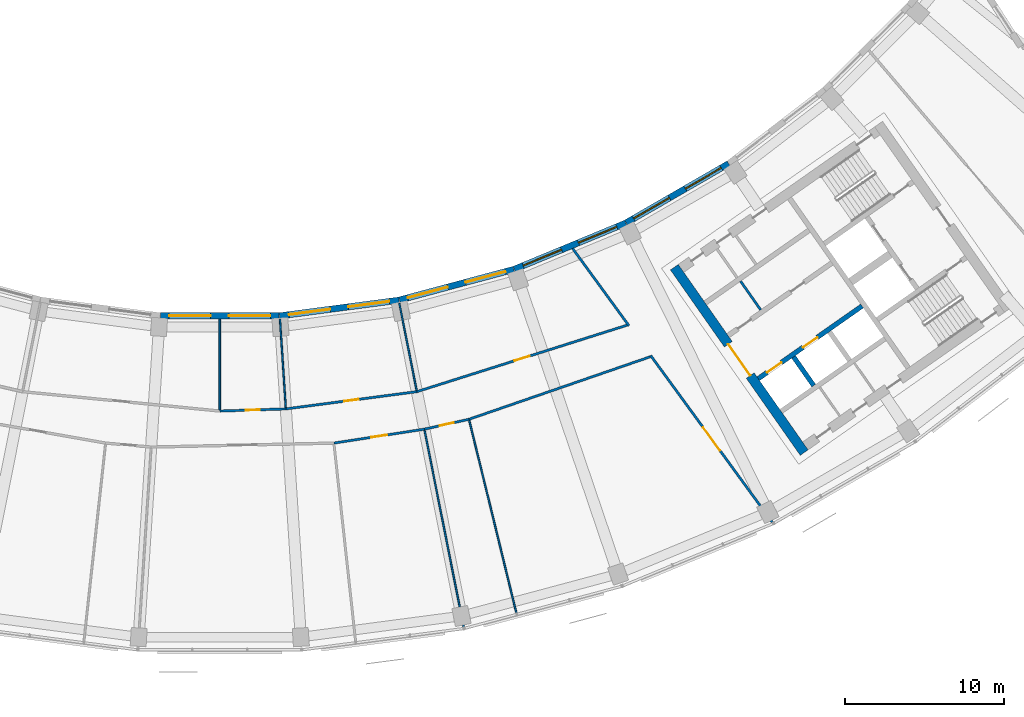
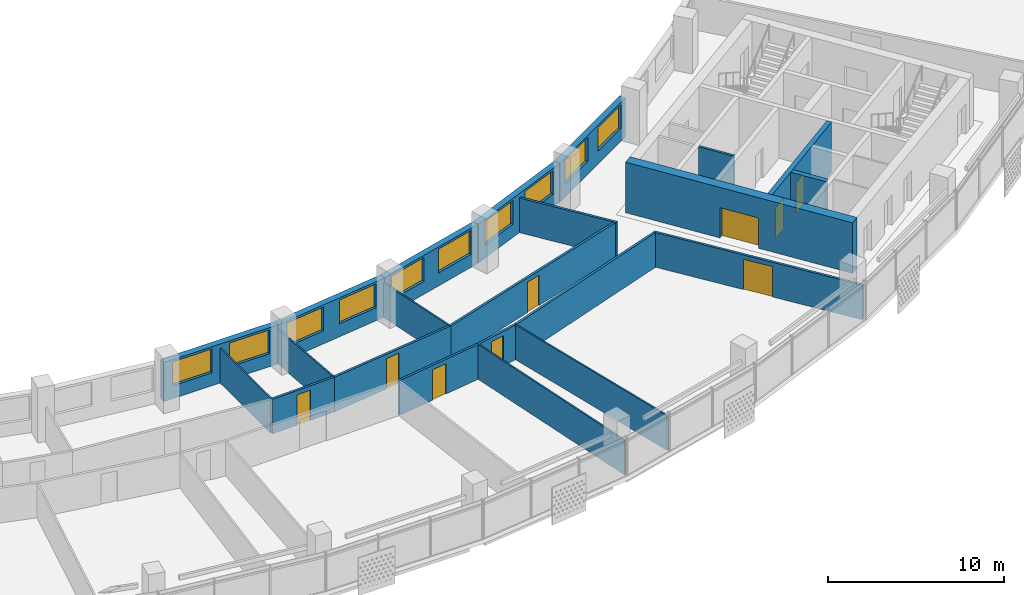
# One storey, part 6 of 28: 22 walls, 10 windows, 9 doors, 19 openings.
"""IFC4 building model written with IfcOpenShell, lengths in metres."""

from ifc_helpers import new_model, si_unit, direction, frame, frame_2d, origin, place, context, subcontext, project, spatial, rectangle, extrude, material, layer, layer_set, type_object, element, fill, save


model = new_model("IFC4")

# Units and contexts
model_context = context("Model", 3, precision=1e-05, world=origin(), true_north=direction((0.0, 1.0)))
body_context = subcontext(model_context, "Body", "Model", "MODEL_VIEW")
ifc_project = project(units=[si_unit("LENGTHUNIT", "METRE"), si_unit("AREAUNIT", "SQUARE_METRE"), si_unit("VOLUMEUNIT", "CUBIC_METRE"), si_unit("PLANEANGLEUNIT", "RADIAN"), si_unit("MASSUNIT", "GRAM", prefix="KILO")], contexts=[model_context])

# Site, building, storey
site_placement = place(None, origin())
site = spatial("IfcSite", under=ifc_project, at=site_placement, CompositionType="ELEMENT")
building_placement = place(site_placement, origin())
building = spatial("IfcBuilding", under=site, at=building_placement, Name="Qamariyya Broadcast Tower", CompositionType="ELEMENT")
storey_placement = place(building_placement, frame((0.0, 0.0, 245.5)))
storey = spatial("IfcBuildingStorey", under=building, at=storey_placement, Name="L59", CompositionType="ELEMENT", Elevation=245.5)

# Wall, opening, door
ifc_material_1 = material(Name="Concrete C60/75", Category="concrete")
ifc_layer_1 = layer(ifc_material_1, 0.60009765625)
ifc_layer_set_1 = layer_set([ifc_layer_1], Name="Core wall 600 mm Concrete C60/75")
wall_type_1 = type_object("IfcWallType", Name="Core wall 600 mm Concrete C60/75", PredefinedType="SHEAR", material=ifc_layer_set_1)
wall_1_placement = place(storey_placement, frame((36.66748046875, -66.005126953125, 0.0), z_axis=(0.0, 0.0, 1.0), x_axis=(-0.573568499524, 0.819157601658, 0.0)))
wall_1 = element("IfcWall", 1, at=wall_1_placement, inside=storey, type_object=wall_type_1, Name="k-E-L59-WA", PredefinedType="SHEAR", context=body_context, shape_type="SweptSolid", body=[
    extrude(rectangle(XDim=14.19970703125, YDim=0.60009765625, at=frame_2d((7.099853515625, 0.0))), origin(), (0.0, 0.0, 1.0), 3.5),
])
opening_1_placement = place(wall_1_placement, frame((5.89990234375, 0.0, 0.0)))
opening_1 = element("IfcOpeningElement", 2, at=opening_1_placement, cuts=wall_1, Name="Opening KD3-E1", PredefinedType="OPENING", context=body_context, shape_type="SweptSolid", body=[
    extrude(rectangle(XDim=2.39990234375, YDim=2.10009765625, at=frame_2d((1.199951171875, 1.050048828125))), frame((0.0, 0.31005859375, 0.0), z_axis=(0.0, -1.0, 0.0), x_axis=(1.0, 0.0, 0.0)), (0.0, 0.0, 1.0), 0.6201171875),
])
ifc_material_2 = material(Name="Steel fire-resisting door leaf", Category="steel")
door_type_1 = type_object("IfcDoorType", Name="Lift lobby door KD3", OperationType="DOUBLE_DOOR_SINGLE_SWING", PredefinedType="DOOR", material=ifc_material_2)
door_1_placement = place(opening_1_placement, origin())
door_1 = element("IfcDoor", 3, at=door_1_placement, inside=storey, type_object=door_type_1, Name="k-E-L59-WA-D1", OperationType="DOUBLE_DOOR_SINGLE_SWING", OverallHeight=2.10009765625, OverallWidth=2.39990234375, PredefinedType="DOOR", context=body_context, shape_type="SweptSolid", body=[
    extrude(rectangle(XDim=2.39990234375, YDim=2.10009765625, at=frame_2d((1.199951171875, 1.050048828125))), frame((0.0, 0.02490234375, 0.0), z_axis=(0.0, -1.0, 0.0), x_axis=(1.0, 0.0, 0.0)), (0.0, 0.0, 1.0), 0.050048828125),
])
fill(opening_1, door_1)

ifc_material_3 = material(Name="Gypsum board partition")
ifc_layer_2 = layer(ifc_material_3, 0.14990234375)
ifc_layer_set_2 = layer_set([ifc_layer_2], Name="Corridor partition 150 EI 60")
wall_type_2 = type_object("IfcWallType", Name="Corridor partition 150 EI 60", PredefinedType="PARTITIONING", material=ifc_layer_set_2)
wall_2_placement = place(storey_placement, frame((0.0, -63.39990234375, 0.0), z_axis=(0.0, 0.0, 1.0), x_axis=(0.999464584765, 0.032719165634, 0.0)))
wall_2 = element("IfcWall", 4, at=wall_2_placement, inside=storey, type_object=wall_type_2, Name="Partition L59-018", PredefinedType="PARTITIONING", context=body_context, shape_type="SweptSolid", body=[
    extrude(rectangle(XDim=4.148681640625, YDim=0.14990234375, at=frame_2d((2.07421875, 0.0))), origin(), (0.0, 0.0, 1.0), 2.39990234375),
])
opening_2_placement = place(wall_2_placement, frame((1.62451171875, 0.0, 0.0)))
opening_2 = element("IfcOpeningElement", 5, at=opening_2_placement, cuts=wall_2, Name="Opening L59-D12", PredefinedType="OPENING", context=body_context, shape_type="SweptSolid", body=[
    extrude(rectangle(XDim=0.89990234375, YDim=2.10009765625, at=frame_2d((0.449951171875, 1.050048828125))), frame((0.0, 0.0849609375, 0.0), z_axis=(0.0, -1.0, 0.0), x_axis=(1.0, 0.0, 0.0)), (0.0, 0.0, 1.0), 0.169921875),
])
ifc_material_4 = material(Name="Timber fire door leaf", Category="wood")
door_type_2 = type_object("IfcDoorType", Name="Fire door 900 x 2100 FD60", OperationType="NOTDEFINED", PredefinedType="DOOR", material=ifc_material_4)
door_2_placement = place(opening_2_placement, origin())
door_2 = element("IfcDoor", 6, at=door_2_placement, inside=storey, type_object=door_type_2, Name="Door L59-D12", OperationType="SINGLE_SWING_RIGHT", OverallHeight=2.10009765625, OverallWidth=0.89990234375, PredefinedType="DOOR", context=body_context, shape_type="SweptSolid", body=[
    extrude(rectangle(XDim=0.89990234375, YDim=2.10009765625, at=frame_2d((0.449951171875, 1.050048828125))), frame((0.0, 0.02490234375, 0.0), z_axis=(0.0, -1.0, 0.0), x_axis=(1.0, 0.0, 0.0)), (0.0, 0.0, 1.0), 0.050048828125),
])
fill(opening_2, door_2)

wall_3_placement = place(storey_placement, frame((4.146484375, -63.26416015625, 0.0), z_axis=(0.0, 0.0, 1.0), x_axis=(0.991447881484, 0.130503250152, 0.0)))
wall_3 = element("IfcWall", 7, at=wall_3_placement, inside=storey, type_object=wall_type_2, Name="Partition L59-021", PredefinedType="PARTITIONING", context=body_context, shape_type="SweptSolid", body=[
    extrude(rectangle(XDim=8.293212890625, YDim=0.14990234375, at=frame_2d((4.146484375, 0.0))), origin(), (0.0, 0.0, 1.0), 2.39990234375),
])
opening_3_placement = place(wall_3_placement, frame((3.696533203125, 0.0, 0.0)))
opening_3 = element("IfcOpeningElement", 8, at=opening_3_placement, cuts=wall_3, Name="Opening L59-D13", PredefinedType="OPENING", context=body_context, shape_type="SweptSolid", body=[
    extrude(rectangle(XDim=0.89990234375, YDim=2.10009765625, at=frame_2d((0.449951171875, 1.050048828125))), frame((0.0, 0.0849609375, 0.0), z_axis=(0.0, -1.0, 0.0), x_axis=(1.0, 0.0, 0.0)), (0.0, 0.0, 1.0), 0.169921875),
])
door_3_placement = place(opening_3_placement, origin())
door_3 = element("IfcDoor", 9, at=door_3_placement, inside=storey, type_object=door_type_2, Name="Door L59-D13", OperationType="SINGLE_SWING_RIGHT", OverallHeight=2.10009765625, OverallWidth=0.89990234375, PredefinedType="DOOR", context=body_context, shape_type="SweptSolid", body=[
    extrude(rectangle(XDim=0.89990234375, YDim=2.10009765625, at=frame_2d((0.449951171875, 1.050048828125))), frame((0.0, 0.02490234375, 0.0), z_axis=(0.0, -1.0, 0.0), x_axis=(1.0, 0.0, 0.0)), (0.0, 0.0, 1.0), 0.050048828125),
])
fill(opening_3, door_3)

wall_4_placement = place(storey_placement, frame((12.8369140625, -64.53564453125, 0.0), z_axis=(0.0, 0.0, 1.0), x_axis=(-0.988360881462, -0.15212747285, 0.0)))
wall_4 = element("IfcWall", 10, at=wall_4_placement, inside=storey, type_object=wall_type_2, Name="Partition L59-022", PredefinedType="PARTITIONING", context=body_context, shape_type="SweptSolid", body=[
    extrude(rectangle(XDim=5.7421875, YDim=0.14990234375, at=frame_2d((2.87109375, 0.0))), origin(), (0.0, 0.0, 1.0), 2.39990234375),
])
opening_4_placement = place(wall_4_placement, frame((2.37109375, 0.0, 0.0)))
opening_4 = element("IfcOpeningElement", 11, at=opening_4_placement, cuts=wall_4, Name="Opening L59-D06", PredefinedType="OPENING", context=body_context, shape_type="SweptSolid", body=[
    extrude(rectangle(XDim=1.0, YDim=2.10009765625, at=frame_2d((0.5, 1.050048828125))), frame((0.0, 0.0849609375, 0.0), z_axis=(0.0, -1.0, 0.0), x_axis=(1.0, 0.0, 0.0)), (0.0, 0.0, 1.0), 0.169921875),
])
door_type_3 = type_object("IfcDoorType", Name="Fire door 1000 x 2100 FD60", OperationType="NOTDEFINED", PredefinedType="DOOR", material=ifc_material_4)
door_4_placement = place(opening_4_placement, origin())
door_4 = element("IfcDoor", 12, at=door_4_placement, inside=storey, type_object=door_type_3, Name="Door L59-D06", OperationType="SINGLE_SWING_RIGHT", OverallHeight=2.10009765625, OverallWidth=1.0, PredefinedType="DOOR", context=body_context, shape_type="SweptSolid", body=[
    extrude(rectangle(XDim=1.0, YDim=2.10009765625, at=frame_2d((0.5, 1.050048828125))), frame((0.0, 0.02490234375, 0.0), z_axis=(0.0, -1.0, 0.0), x_axis=(1.0, 0.0, 0.0)), (0.0, 0.0, 1.0), 0.050048828125),
])
fill(opening_4, door_4)

wall_5_placement = place(storey_placement, frame((12.36865234375, -62.181884765625, 0.0), z_axis=(0.0, 0.0, 1.0), x_axis=(0.95346124433, 0.30151559754, 0.0)))
wall_5 = element("IfcWall", 13, at=wall_5_placement, inside=storey, type_object=wall_type_2, Name="Partition L59-025", PredefinedType="PARTITIONING", context=body_context, shape_type="SweptSolid", body=[
    extrude(rectangle(XDim=13.83544921875, YDim=0.14990234375, at=frame_2d((6.917724609375, 0.0))), origin(), (0.0, 0.0, 1.0), 2.39990234375),
])
opening_5_placement = place(wall_5_placement, frame((6.417724609375, 0.0, 0.0)))
opening_5 = element("IfcOpeningElement", 14, at=opening_5_placement, cuts=wall_5, Name="Opening L59-D14", PredefinedType="OPENING", context=body_context, shape_type="SweptSolid", body=[
    extrude(rectangle(XDim=1.0, YDim=2.10009765625, at=frame_2d((0.5, 1.050048828125))), frame((0.0, 0.0849609375, 0.0), z_axis=(0.0, -1.0, 0.0), x_axis=(1.0, 0.0, 0.0)), (0.0, 0.0, 1.0), 0.169921875),
])
door_5_placement = place(opening_5_placement, origin())
door_5 = element("IfcDoor", 15, at=door_5_placement, inside=storey, type_object=door_type_3, Name="Door L59-D14", OperationType="SINGLE_SWING_RIGHT", OverallHeight=2.10009765625, OverallWidth=1.0, PredefinedType="DOOR", context=body_context, shape_type="SweptSolid", body=[
    extrude(rectangle(XDim=1.0, YDim=2.10009765625, at=frame_2d((0.5, 1.050048828125))), frame((0.0, 0.02490234375, 0.0), z_axis=(0.0, -1.0, 0.0), x_axis=(1.0, 0.0, 0.0)), (0.0, 0.0, 1.0), 0.050048828125),
])
fill(opening_5, door_5)

wall_6_placement = place(storey_placement, frame((15.637939453125, -63.914794921875, 0.0), z_axis=(0.0, 0.0, 1.0), x_axis=(-0.976305048544, -0.216398826676, 0.0)))
wall_6 = element("IfcWall", 16, at=wall_6_placement, inside=storey, type_object=wall_type_2, Name="Partition L59-026", PredefinedType="PARTITIONING", context=body_context, shape_type="SweptSolid", body=[
    extrude(rectangle(XDim=2.868896484375, YDim=0.14990234375, at=frame_2d((1.4345703125, 0.0))), origin(), (0.0, 0.0, 1.0), 2.39990234375),
])
opening_6_placement = place(wall_6_placement, frame((0.984619140625, 0.0, 0.0)))
opening_6 = element("IfcOpeningElement", 17, at=opening_6_placement, cuts=wall_6, Name="Opening L59-D07", PredefinedType="OPENING", context=body_context, shape_type="SweptSolid", body=[
    extrude(rectangle(XDim=0.89990234375, YDim=2.10009765625, at=frame_2d((0.449951171875, 1.050048828125))), frame((0.0, 0.0849609375, 0.0), z_axis=(0.0, -1.0, 0.0), x_axis=(1.0, 0.0, 0.0)), (0.0, 0.0, 1.0), 0.169921875),
])
door_6_placement = place(opening_6_placement, origin())
door_6 = element("IfcDoor", 18, at=door_6_placement, inside=storey, type_object=door_type_2, Name="Door L59-D07", OperationType="SINGLE_SWING_RIGHT", OverallHeight=2.10009765625, OverallWidth=0.89990234375, PredefinedType="DOOR", context=body_context, shape_type="SweptSolid", body=[
    extrude(rectangle(XDim=0.89990234375, YDim=2.10009765625, at=frame_2d((0.449951171875, 1.050048828125))), frame((0.0, 0.02490234375, 0.0), z_axis=(0.0, -1.0, 0.0), x_axis=(1.0, 0.0, 0.0)), (0.0, 0.0, 1.0), 0.050048828125),
])
fill(opening_6, door_6)

# Walls
wall_7_placement = place(storey_placement, frame((15.637939453125, -63.914794921875, 0.0), z_axis=(0.0, 0.0, 1.0), x_axis=(0.9453766492, 0.325980047162, 0.0)))
element("IfcWall", 19, at=wall_7_placement, inside=storey, type_object=wall_type_2, Name="Partition L59-028", PredefinedType="PARTITIONING", context=body_context, shape_type="SweptSolid", body=[
    extrude(rectangle(XDim=12.02587890625, YDim=0.14990234375, at=frame_2d((6.012939453125, 0.0))), origin(), (0.0, 0.0, 1.0), 2.39990234375),
])
wall_8_placement = place(storey_placement, frame((22.135498046875, -53.1943359375, 0.0), z_axis=(0.0, 0.0, 1.0), x_axis=(0.589297062476, -0.807916438846, 0.0)))
element("IfcWall", 20, at=wall_8_placement, inside=storey, type_object=wall_type_2, Name="Partition L59-030", PredefinedType="PARTITIONING", context=body_context, shape_type="SweptSolid", body=[
    extrude(rectangle(XDim=6.008056640625, YDim=0.14990234375, at=frame_2d((3.00390625, 0.0))), origin(), (0.0, 0.0, 1.0), 2.39990234375),
])

# Wall, opening, door
wall_9_placement = place(storey_placement, frame((34.668212890625, -70.37744140625, 0.0), z_axis=(0.0, 0.0, 1.0), x_axis=(-0.589273648147, 0.807933516819, 0.0)))
wall_9 = element("IfcWall", 21, at=wall_9_placement, inside=storey, type_object=wall_type_2, Name="Partition L59-031", PredefinedType="PARTITIONING", context=body_context, shape_type="SweptSolid", body=[
    extrude(rectangle(XDim=12.956298828125, YDim=0.14990234375, at=frame_2d((6.47802734375, 0.0))), origin(), (0.0, 0.0, 1.0), 2.39990234375),
])
opening_7_placement = place(wall_9_placement, frame((5.578125, 0.0, 0.0)))
opening_7 = element("IfcOpeningElement", 22, at=opening_7_placement, cuts=wall_9, Name="Opening L59-D08", PredefinedType="OPENING", context=body_context, shape_type="SweptSolid", body=[
    extrude(rectangle(XDim=1.800048828125, YDim=2.10009765625, at=frame_2d((0.89990234375, 1.050048828125))), frame((0.0, 0.0849609375, 0.0), z_axis=(0.0, -1.0, 0.0), x_axis=(1.0, 0.0, 0.0)), (0.0, 0.0, 1.0), 0.169921875),
])
door_type_4 = type_object("IfcDoorType", Name="Double fire door 1800 x 2100 FD60", OperationType="NOTDEFINED", PredefinedType="DOOR", material=ifc_material_4)
door_7_placement = place(opening_7_placement, origin())
door_7 = element("IfcDoor", 23, at=door_7_placement, inside=storey, type_object=door_type_4, Name="Door L59-D08", OperationType="DOUBLE_DOOR_SINGLE_SWING", OverallHeight=2.10009765625, OverallWidth=1.800048828125, PredefinedType="DOOR", context=body_context, shape_type="SweptSolid", body=[
    extrude(rectangle(XDim=1.800048828125, YDim=2.10009765625, at=frame_2d((0.89990234375, 1.050048828125))), frame((0.0, 0.02490234375, 0.0), z_axis=(0.0, -1.0, 0.0), x_axis=(1.0, 0.0, 0.0)), (0.0, 0.0, 1.0), 0.050048828125),
])
fill(opening_7, door_7)

# Wall
ifc_material_5 = material(Name="Gypsum board partition on steel studs", Category="steel")
ifc_layer_3 = layer(ifc_material_5, 0.14990234375)
ifc_layer_set_3 = layer_set([ifc_layer_3], Name="Gypsum board partition 150 mm")
wall_type_3 = type_object("IfcWallType", Name="Gypsum board partition 150 mm", PredefinedType="PARTITIONING", material=ifc_layer_set_3)
wall_10_placement = place(storey_placement, frame((33.9384765625, -57.051513671875, 0.0), z_axis=(0.0, 0.0, 1.0), x_axis=(-0.573581496053, 0.819148501424, 0.0)))
element("IfcWall", 24, at=wall_10_placement, inside=storey, type_object=wall_type_3, Name="k-E-L59-NC260", PredefinedType="PARTITIONING", context=body_context, shape_type="SweptSolid", body=[
    extrude(rectangle(XDim=2.2001953125, YDim=0.14990234375, at=frame_2d((1.10009765625, 0.0))), origin(), (0.0, 0.0, 1.0), 3.5),
])

# Wall, openings, doors
ifc_layer_4 = layer(ifc_material_1, 0.300048828125)
ifc_layer_set_4 = layer_set([ifc_layer_4], Name="Lift shaft wall 300 mm Concrete C60/75")
wall_type_4 = type_object("IfcWallType", Name="Lift shaft wall 300 mm Concrete C60/75", PredefinedType="SOLIDWALL", material=ifc_layer_set_4)
wall_11_placement = place(storey_placement, frame((33.787353515625, -61.368896484375, 0.0), z_axis=(0.0, 0.0, 1.0), x_axis=(0.819152564888, 0.573575692858, 0.0)))
wall_11 = element("IfcWall", 25, at=wall_11_placement, inside=storey, type_object=wall_type_4, Name="k-E-L59-SF0", PredefinedType="SOLIDWALL", context=body_context, shape_type="SweptSolid", body=[
    extrude(rectangle(XDim=7.9501953125, YDim=0.300048828125, at=frame_2d((3.97509765625, 0.0))), origin(), (0.0, 0.0, 1.0), 3.5),
])
opening_8_placement = place(wall_11_placement, frame((0.675048828125, 0.0, 0.0)))
opening_8 = element("IfcOpeningElement", 26, at=opening_8_placement, cuts=wall_11, Name="Opening LD", PredefinedType="OPENING", context=body_context, shape_type="SweptSolid", body=[
    extrude(rectangle(XDim=1.10009765625, YDim=2.10009765625, at=frame_2d((0.550048828125, 1.050048828125))), frame((0.0, 0.159912109375, 0.0), z_axis=(0.0, -1.0, 0.0), x_axis=(1.0, 0.0, 0.0)), (0.0, 0.0, 1.0), 0.320068359375),
])
opening_9_placement = place(wall_11_placement, frame((3.425048828125, 0.0, 0.0)))
opening_9 = element("IfcOpeningElement", 27, at=opening_9_placement, cuts=wall_11, Name="Opening LD", PredefinedType="OPENING", context=body_context, shape_type="SweptSolid", body=[
    extrude(rectangle(XDim=1.10009765625, YDim=2.10009765625, at=frame_2d((0.550048828125, 1.050048828125))), frame((0.0, 0.159912109375, 0.0), z_axis=(0.0, -1.0, 0.0), x_axis=(1.0, 0.0, 0.0)), (0.0, 0.0, 1.0), 0.320068359375),
])
door_type_5 = type_object("IfcDoorType", Name="Lift landing door LD", OperationType="DOUBLE_DOOR_SLIDING", PredefinedType="DOOR", material=ifc_material_2)
door_8_placement = place(opening_8_placement, origin())
door_8 = element("IfcDoor", 28, at=door_8_placement, inside=storey, type_object=door_type_5, Name="k-E-L59-SF0-D4", OperationType="DOUBLE_DOOR_SLIDING", OverallHeight=2.10009765625, OverallWidth=1.10009765625, PredefinedType="DOOR", context=body_context, shape_type="SweptSolid", body=[
    extrude(rectangle(XDim=1.10009765625, YDim=2.10009765625, at=frame_2d((0.550048828125, 1.050048828125))), frame((0.0, 0.02490234375, 0.0), z_axis=(0.0, -1.0, 0.0), x_axis=(1.0, 0.0, 0.0)), (0.0, 0.0, 1.0), 0.050048828125),
])
fill(opening_8, door_8)
door_9_placement = place(opening_9_placement, origin())
door_9 = element("IfcDoor", 29, at=door_9_placement, inside=storey, type_object=door_type_5, Name="k-E-L59-SF0-D5", OperationType="DOUBLE_DOOR_SLIDING", OverallHeight=2.10009765625, OverallWidth=1.10009765625, PredefinedType="DOOR", context=body_context, shape_type="SweptSolid", body=[
    extrude(rectangle(XDim=1.10009765625, YDim=2.10009765625, at=frame_2d((0.550048828125, 1.050048828125))), frame((0.0, 0.02490234375, 0.0), z_axis=(0.0, -1.0, 0.0), x_axis=(1.0, 0.0, 0.0)), (0.0, 0.0, 1.0), 0.050048828125),
])
fill(opening_9, door_9)

# Walls
wall_12_placement = place(storey_placement, frame((36.003173828125, -60.000244140625, 0.0), z_axis=(0.0, 0.0, 1.0), x_axis=(0.573581496053, -0.819148501424, 0.0)))
element("IfcWall", 30, at=wall_12_placement, inside=storey, type_object=wall_type_4, Name="k-E-L59-SD0", PredefinedType="SOLIDWALL", context=body_context, shape_type="SweptSolid", body=[
    extrude(rectangle(XDim=2.2001953125, YDim=0.300048828125, at=frame_2d((1.10009765625, 0.0))), origin(), (0.0, 0.0, 1.0), 3.5),
])
ifc_layer_5 = layer(ifc_material_3, 0.10009765625)
ifc_layer_set_5 = layer_set([ifc_layer_5], Name="Partition 100")
wall_type_5 = type_object("IfcWallType", Name="Partition 100", PredefinedType="PARTITIONING", material=ifc_layer_set_5)
wall_13_placement = place(storey_placement, frame((0.0, -57.627197265625, 0.0), z_axis=(0.0, 0.0, 1.0), x_axis=(0.0, -1.0, 0.0)))
element("IfcWall", 31, at=wall_13_placement, inside=storey, type_object=wall_type_5, Name="Partition L59-019", PredefinedType="PARTITIONING", context=body_context, shape_type="SweptSolid", body=[
    extrude(rectangle(XDim=5.69775390625, YDim=0.10009765625, at=frame_2d((2.848876953125, 0.0))), origin(), (0.0, 0.0, 1.0), 2.39990234375),
])
for number, where, z_axis, x_axis, name in (
    (32, (3.777099609375, -57.62646484375, 0.0), (0.0, 0.0, 1.0), (0.065382488891, -0.997860275864, 0.0), "Partition L59-020"),
    (33, (11.266357421875, -56.640380859375, 0.0), (0.0, 0.0, 1.0), (0.195097004053, -0.98078395124, 0.0), "Partition L59-024"),
):
    element("IfcWall", number, at=place(storey_placement, frame(where, z_axis=z_axis, x_axis=x_axis)), inside=storey, type_object=wall_type_5, Name=name, PredefinedType="PARTITIONING", context=body_context, shape_type="SweptSolid", body=[
        extrude(rectangle(XDim=5.574951171875, YDim=0.10009765625, at=frame_2d((2.78759765625, 0.0))), origin(), (0.0, 0.0, 1.0), 2.39990234375),
    ])
wall_14_placement = place(storey_placement, frame((15.304931640625, -76.942626953125, 0.0), z_axis=(0.0, 0.0, 1.0), x_axis=(-0.195096765563, 0.98078399868, 0.0)))
element("IfcWall", 34, at=wall_14_placement, inside=storey, type_object=wall_type_5, Name="Partition L59-027", PredefinedType="PARTITIONING", context=body_context, shape_type="SweptSolid", body=[
    extrude(rectangle(XDim=12.5751953125, YDim=0.10009765625, at=frame_2d((6.28759765625, 0.0))), origin(), (0.0, 0.0, 1.0), 2.39990234375),
])
wall_15_placement = place(storey_placement, frame((18.60888671875, -76.056884765625, 0.0), z_axis=(0.0, 0.0, 1.0), x_axis=(-0.237668980718, 0.971346207901, 0.0)))
element("IfcWall", 35, at=wall_15_placement, inside=storey, type_object=wall_type_5, Name="Partition L59-029", PredefinedType="PARTITIONING", context=body_context, shape_type="SweptSolid", body=[
    extrude(rectangle(XDim=12.42529296875, YDim=0.10009765625, at=frame_2d((6.212646484375, 0.0))), origin(), (0.0, 0.0, 1.0), 2.39990234375),
])

# Wall, openings, windows
ifc_material_6 = material(Name="Terracotta", Category="masonry")
ifc_layer_6 = layer(ifc_material_6, 0.39990234375)
ifc_layer_set_6 = layer_set([ifc_layer_6], Name="Terracotta clad wall 400")
wall_type_6 = type_object("IfcWallType", Name="Terracotta clad wall 400", PredefinedType="SOLIDWALL", material=ifc_layer_set_6)
wall_16_placement = place(storey_placement, frame((18.449951171875, -54.50927734375, 0.0), z_axis=(0.0, 0.0, 1.0), x_axis=(-0.965924866111, -0.25882262851, 0.0)))
wall_16 = element("IfcWall", 36, at=wall_16_placement, inside=storey, type_object=wall_type_6, Name="e-wl-L59-in100", PredefinedType="SOLIDWALL", context=body_context, shape_type="SweptSolid", body=[
    extrude(rectangle(XDim=7.426513671875, YDim=0.39990234375, at=frame_2d((3.71337890625, 0.0))), origin(), (0.0, 0.0, 1.0), 2.699951171875),
])
opening_10_placement = place(wall_16_placement, frame((4.28857421875, 0.0, 0.89990234375)))
opening_10 = element("IfcOpeningElement", 37, at=opening_10_placement, cuts=wall_16, Name="Opening W1", PredefinedType="OPENING", context=body_context, shape_type="SweptSolid", body=[
    extrude(rectangle(XDim=2.60009765625, YDim=1.64990234375, at=frame_2d((1.300048828125, 0.824951171875))), frame((0.0, 0.2099609375, 0.0), z_axis=(0.0, -1.0, 0.0), x_axis=(1.0, 0.0, 0.0)), (0.0, 0.0, 1.0), 0.419921875),
])
opening_11_placement = place(wall_16_placement, frame((0.537841796875, 0.0, 0.89990234375)))
opening_11 = element("IfcOpeningElement", 38, at=opening_11_placement, cuts=wall_16, Name="Opening W1", PredefinedType="OPENING", context=body_context, shape_type="SweptSolid", body=[
    extrude(rectangle(XDim=2.60009765625, YDim=1.64990234375, at=frame_2d((1.300048828125, 0.824951171875))), frame((0.0, 0.2099609375, 0.0), z_axis=(0.0, -1.0, 0.0), x_axis=(1.0, 0.0, 0.0)), (0.0, 0.0, 1.0), 0.419921875),
])
ifc_material_7 = material(Name="Clear low-e double glazed unit in aluminium frame", Category="aluminium")
window_type = type_object("IfcWindowType", Name="Ribbon window 2600 x 1650", PartitioningType="SINGLE_PANEL", PredefinedType="WINDOW", material=ifc_material_7)
window_1_placement = place(opening_10_placement, origin())
window_1 = element("IfcWindow", 39, at=window_1_placement, inside=storey, type_object=window_type, Name="e-w-L59-in10-0", OverallHeight=1.64990234375, OverallWidth=2.60009765625, PartitioningType="SINGLE_PANEL", PredefinedType="WINDOW", context=body_context, shape_type="SweptSolid", body=[
    extrude(rectangle(XDim=2.60009765625, YDim=1.64990234375, at=frame_2d((1.300048828125, 0.824951171875))), frame((0.0, 0.030029296875, 0.0), z_axis=(0.0, -1.0, 0.0), x_axis=(1.0, 0.0, 0.0)), (0.0, 0.0, 1.0), 0.06005859375),
])
fill(opening_10, window_1)
window_2_placement = place(opening_11_placement, origin())
window_2 = element("IfcWindow", 40, at=window_2_placement, inside=storey, type_object=window_type, Name="e-w-L59-in10-1", OverallHeight=1.64990234375, OverallWidth=2.60009765625, PartitioningType="SINGLE_PANEL", PredefinedType="WINDOW", context=body_context, shape_type="SweptSolid", body=[
    extrude(rectangle(XDim=2.60009765625, YDim=1.64990234375, at=frame_2d((1.300048828125, 0.824951171875))), frame((0.0, 0.030029296875, 0.0), z_axis=(0.0, -1.0, 0.0), x_axis=(1.0, 0.0, 0.0)), (0.0, 0.0, 1.0), 0.06005859375),
])
fill(opening_11, window_2)

wall_17_placement = place(storey_placement, frame((25.47705078125, -51.60595703125, 0.0), z_axis=(0.0, 0.0, 1.0), x_axis=(-0.923884115122, -0.382672368777, 0.0)))
wall_17 = element("IfcWall", 41, at=wall_17_placement, inside=storey, type_object=wall_type_6, Name="e-wl-L59-in110", PredefinedType="SOLIDWALL", context=body_context, shape_type="SweptSolid", body=[
    extrude(rectangle(XDim=7.578125, YDim=0.39990234375, at=frame_2d((3.7890625, 0.0))), origin(), (0.0, 0.0, 1.0), 2.699951171875),
])
opening_12_placement = place(wall_17_placement, frame((4.364501953125, 0.0, 0.89990234375)))
opening_12 = element("IfcOpeningElement", 42, at=opening_12_placement, cuts=wall_17, Name="Opening W1", PredefinedType="OPENING", context=body_context, shape_type="SweptSolid", body=[
    extrude(rectangle(XDim=2.60009765625, YDim=1.64990234375, at=frame_2d((1.300048828125, 0.824951171875))), frame((0.0, 0.2099609375, 0.0), z_axis=(0.0, -1.0, 0.0), x_axis=(1.0, 0.0, 0.0)), (0.0, 0.0, 1.0), 0.419921875),
])
opening_13_placement = place(wall_17_placement, frame((0.613525390625, 0.0, 0.89990234375)))
opening_13 = element("IfcOpeningElement", 43, at=opening_13_placement, cuts=wall_17, Name="Opening W1", PredefinedType="OPENING", context=body_context, shape_type="SweptSolid", body=[
    extrude(rectangle(XDim=2.60009765625, YDim=1.64990234375, at=frame_2d((1.300048828125, 0.824951171875))), frame((0.0, 0.2099609375, 0.0), z_axis=(0.0, -1.0, 0.0), x_axis=(1.0, 0.0, 0.0)), (0.0, 0.0, 1.0), 0.419921875),
])
window_3_placement = place(opening_12_placement, origin())
window_3 = element("IfcWindow", 44, at=window_3_placement, inside=storey, type_object=window_type, Name="e-w-L59-in11-0", OverallHeight=1.64990234375, OverallWidth=2.60009765625, PartitioningType="SINGLE_PANEL", PredefinedType="WINDOW", context=body_context, shape_type="SweptSolid", body=[
    extrude(rectangle(XDim=2.60009765625, YDim=1.64990234375, at=frame_2d((1.300048828125, 0.824951171875))), frame((0.0, 0.030029296875, 0.0), z_axis=(0.0, -1.0, 0.0), x_axis=(1.0, 0.0, 0.0)), (0.0, 0.0, 1.0), 0.06005859375),
])
fill(opening_12, window_3)
window_4_placement = place(opening_13_placement, origin())
window_4 = element("IfcWindow", 45, at=window_4_placement, inside=storey, type_object=window_type, Name="e-w-L59-in11-1", OverallHeight=1.64990234375, OverallWidth=2.60009765625, PartitioningType="SINGLE_PANEL", PredefinedType="WINDOW", context=body_context, shape_type="SweptSolid", body=[
    extrude(rectangle(XDim=2.60009765625, YDim=1.64990234375, at=frame_2d((1.300048828125, 0.824951171875))), frame((0.0, 0.030029296875, 0.0), z_axis=(0.0, -1.0, 0.0), x_axis=(1.0, 0.0, 0.0)), (0.0, 0.0, 1.0), 0.06005859375),
])
fill(opening_13, window_4)

wall_18_placement = place(storey_placement, frame((31.929443359375, -47.876708984375, 0.0), z_axis=(0.0, 0.0, 1.0), x_axis=(-0.866021353871, -0.500007014591, 0.0)))
wall_18 = element("IfcWall", 46, at=wall_18_placement, inside=storey, type_object=wall_type_6, Name="e-wl-L59-in120", PredefinedType="SOLIDWALL", context=body_context, shape_type="SweptSolid", body=[
    extrude(rectangle(XDim=7.4267578125, YDim=0.39990234375, at=frame_2d((3.71337890625, 0.0))), origin(), (0.0, 0.0, 1.0), 2.699951171875),
])
opening_14_placement = place(wall_18_placement, frame((4.28857421875, 0.0, 0.89990234375)))
opening_14 = element("IfcOpeningElement", 47, at=opening_14_placement, cuts=wall_18, Name="Opening W1", PredefinedType="OPENING", context=body_context, shape_type="SweptSolid", body=[
    extrude(rectangle(XDim=2.60009765625, YDim=1.64990234375, at=frame_2d((1.300048828125, 0.824951171875))), frame((0.0, 0.2099609375, 0.0), z_axis=(0.0, -1.0, 0.0), x_axis=(1.0, 0.0, 0.0)), (0.0, 0.0, 1.0), 0.419921875),
])
opening_15_placement = place(wall_18_placement, frame((0.537841796875, 0.0, 0.89990234375)))
opening_15 = element("IfcOpeningElement", 48, at=opening_15_placement, cuts=wall_18, Name="Opening W1", PredefinedType="OPENING", context=body_context, shape_type="SweptSolid", body=[
    extrude(rectangle(XDim=2.60009765625, YDim=1.64990234375, at=frame_2d((1.300048828125, 0.824951171875))), frame((0.0, 0.2099609375, 0.0), z_axis=(0.0, -1.0, 0.0), x_axis=(1.0, 0.0, 0.0)), (0.0, 0.0, 1.0), 0.419921875),
])
window_5_placement = place(opening_14_placement, origin())
window_5 = element("IfcWindow", 49, at=window_5_placement, inside=storey, type_object=window_type, Name="e-w-L59-in12-0", OverallHeight=1.64990234375, OverallWidth=2.60009765625, PartitioningType="SINGLE_PANEL", PredefinedType="WINDOW", context=body_context, shape_type="SweptSolid", body=[
    extrude(rectangle(XDim=2.60009765625, YDim=1.64990234375, at=frame_2d((1.300048828125, 0.824951171875))), frame((0.0, 0.030029296875, 0.0), z_axis=(0.0, -1.0, 0.0), x_axis=(1.0, 0.0, 0.0)), (0.0, 0.0, 1.0), 0.06005859375),
])
fill(opening_14, window_5)
window_6_placement = place(opening_15_placement, origin())
window_6 = element("IfcWindow", 50, at=window_6_placement, inside=storey, type_object=window_type, Name="e-w-L59-in12-1", OverallHeight=1.64990234375, OverallWidth=2.60009765625, PartitioningType="SINGLE_PANEL", PredefinedType="WINDOW", context=body_context, shape_type="SweptSolid", body=[
    extrude(rectangle(XDim=2.60009765625, YDim=1.64990234375, at=frame_2d((1.300048828125, 0.824951171875))), frame((0.0, 0.030029296875, 0.0), z_axis=(0.0, -1.0, 0.0), x_axis=(1.0, 0.0, 0.0)), (0.0, 0.0, 1.0), 0.06005859375),
])
fill(opening_15, window_6)

wall_19_placement = place(storey_placement, frame((3.713134765625, -57.42724609375, 0.0), z_axis=(0.0, 0.0, 1.0), x_axis=(-1.0, 0.0, 0.0)))
wall_19 = element("IfcWall", 51, at=wall_19_placement, inside=storey, type_object=wall_type_6, Name="e-wl-L59-in80", PredefinedType="SOLIDWALL", context=body_context, shape_type="SweptSolid", body=[
    extrude(rectangle(XDim=7.42626953125, YDim=0.39990234375, at=frame_2d((3.713134765625, 0.0))), origin(), (0.0, 0.0, 1.0), 2.699951171875),
])
opening_16_placement = place(wall_19_placement, frame((4.28857421875, 0.0, 0.89990234375)))
opening_16 = element("IfcOpeningElement", 52, at=opening_16_placement, cuts=wall_19, Name="Opening W1", PredefinedType="OPENING", context=body_context, shape_type="SweptSolid", body=[
    extrude(rectangle(XDim=2.60009765625, YDim=1.64990234375, at=frame_2d((1.300048828125, 0.824951171875))), frame((0.0, 0.2099609375, 0.0), z_axis=(0.0, -1.0, 0.0), x_axis=(1.0, 0.0, 0.0)), (0.0, 0.0, 1.0), 0.419921875),
])
opening_17_placement = place(wall_19_placement, frame((0.537841796875, 0.0, 0.89990234375)))
opening_17 = element("IfcOpeningElement", 53, at=opening_17_placement, cuts=wall_19, Name="Opening W1", PredefinedType="OPENING", context=body_context, shape_type="SweptSolid", body=[
    extrude(rectangle(XDim=2.60009765625, YDim=1.64990234375, at=frame_2d((1.300048828125, 0.824951171875))), frame((0.0, 0.2099609375, 0.0), z_axis=(0.0, -1.0, 0.0), x_axis=(1.0, 0.0, 0.0)), (0.0, 0.0, 1.0), 0.419921875),
])
window_7_placement = place(opening_16_placement, origin())
window_7 = element("IfcWindow", 54, at=window_7_placement, inside=storey, type_object=window_type, Name="e-w-L59-in08-0", OverallHeight=1.64990234375, OverallWidth=2.60009765625, PartitioningType="SINGLE_PANEL", PredefinedType="WINDOW", context=body_context, shape_type="SweptSolid", body=[
    extrude(rectangle(XDim=2.60009765625, YDim=1.64990234375, at=frame_2d((1.300048828125, 0.824951171875))), frame((0.0, 0.030029296875, 0.0), z_axis=(0.0, -1.0, 0.0), x_axis=(1.0, 0.0, 0.0)), (0.0, 0.0, 1.0), 0.06005859375),
])
fill(opening_16, window_7)
window_8_placement = place(opening_17_placement, origin())
window_8 = element("IfcWindow", 55, at=window_8_placement, inside=storey, type_object=window_type, Name="e-w-L59-in08-1", OverallHeight=1.64990234375, OverallWidth=2.60009765625, PartitioningType="SINGLE_PANEL", PredefinedType="WINDOW", context=body_context, shape_type="SweptSolid", body=[
    extrude(rectangle(XDim=2.60009765625, YDim=1.64990234375, at=frame_2d((1.300048828125, 0.824951171875))), frame((0.0, 0.030029296875, 0.0), z_axis=(0.0, -1.0, 0.0), x_axis=(1.0, 0.0, 0.0)), (0.0, 0.0, 1.0), 0.06005859375),
])
fill(opening_17, window_8)

wall_20_placement = place(storey_placement, frame((11.252197265625, -56.44140625, 0.0), z_axis=(0.0, 0.0, 1.0), x_axis=(-0.991446288508, -0.130515351599, 0.0)))
wall_20 = element("IfcWall", 56, at=wall_20_placement, inside=storey, type_object=wall_type_6, Name="e-wl-L59-in90", PredefinedType="SOLIDWALL", context=body_context, shape_type="SweptSolid", body=[
    extrude(rectangle(XDim=7.57763671875, YDim=0.39990234375, at=frame_2d((3.788818359375, 0.0))), origin(), (0.0, 0.0, 1.0), 2.699951171875),
])
opening_18_placement = place(wall_20_placement, frame((4.364501953125, 0.0, 0.89990234375)))
opening_18 = element("IfcOpeningElement", 57, at=opening_18_placement, cuts=wall_20, Name="Opening W1", PredefinedType="OPENING", context=body_context, shape_type="SweptSolid", body=[
    extrude(rectangle(XDim=2.60009765625, YDim=1.64990234375, at=frame_2d((1.300048828125, 0.824951171875))), frame((0.0, 0.2099609375, 0.0), z_axis=(0.0, -1.0, 0.0), x_axis=(1.0, 0.0, 0.0)), (0.0, 0.0, 1.0), 0.419921875),
])
opening_19_placement = place(wall_20_placement, frame((0.613525390625, 0.0, 0.89990234375)))
opening_19 = element("IfcOpeningElement", 58, at=opening_19_placement, cuts=wall_20, Name="Opening W1", PredefinedType="OPENING", context=body_context, shape_type="SweptSolid", body=[
    extrude(rectangle(XDim=2.60009765625, YDim=1.64990234375, at=frame_2d((1.300048828125, 0.824951171875))), frame((0.0, 0.2099609375, 0.0), z_axis=(0.0, -1.0, 0.0), x_axis=(1.0, 0.0, 0.0)), (0.0, 0.0, 1.0), 0.419921875),
])
window_9_placement = place(opening_18_placement, origin())
window_9 = element("IfcWindow", 59, at=window_9_placement, inside=storey, type_object=window_type, Name="e-w-L59-in09-0", OverallHeight=1.64990234375, OverallWidth=2.60009765625, PartitioningType="SINGLE_PANEL", PredefinedType="WINDOW", context=body_context, shape_type="SweptSolid", body=[
    extrude(rectangle(XDim=2.60009765625, YDim=1.64990234375, at=frame_2d((1.300048828125, 0.824951171875))), frame((0.0, 0.030029296875, 0.0), z_axis=(0.0, -1.0, 0.0), x_axis=(1.0, 0.0, 0.0)), (0.0, 0.0, 1.0), 0.06005859375),
])
fill(opening_18, window_9)
window_10_placement = place(opening_19_placement, origin())
window_10 = element("IfcWindow", 60, at=window_10_placement, inside=storey, type_object=window_type, Name="e-w-L59-in09-1", OverallHeight=1.64990234375, OverallWidth=2.60009765625, PartitioningType="SINGLE_PANEL", PredefinedType="WINDOW", context=body_context, shape_type="SweptSolid", body=[
    extrude(rectangle(XDim=2.60009765625, YDim=1.64990234375, at=frame_2d((1.300048828125, 0.824951171875))), frame((0.0, 0.030029296875, 0.0), z_axis=(0.0, -1.0, 0.0), x_axis=(1.0, 0.0, 0.0)), (0.0, 0.0, 1.0), 0.06005859375),
])
fill(opening_19, window_10)

save(model, "model.ifc")
